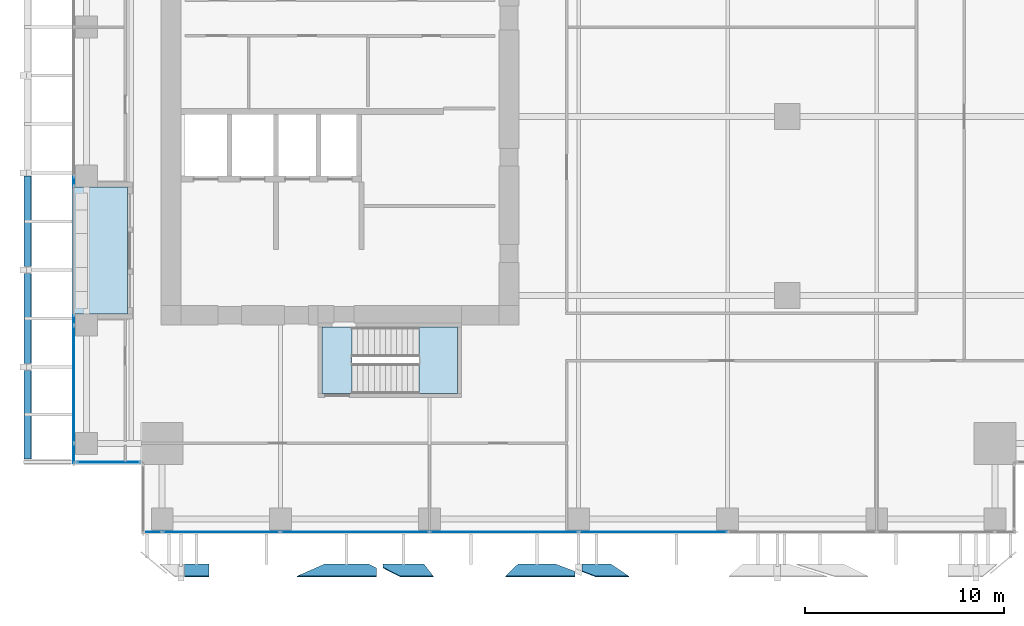
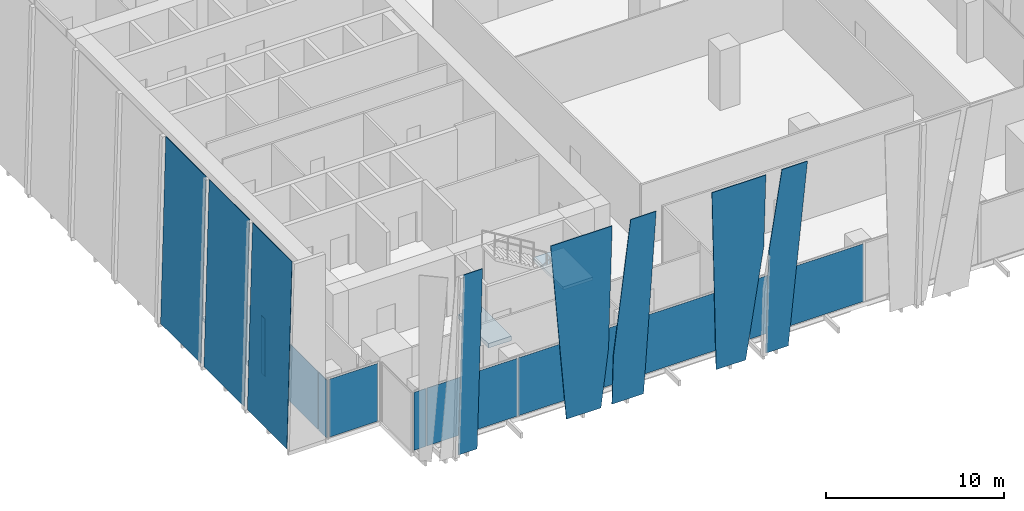
# One storey, part 21 of 34: 18 plates, 3 slabs, 5 elements without a shape of their own.
"""IFC4 building model written with IfcOpenShell, lengths in metres."""

import ifcopenshell
import ifcopenshell.guid

model = None  # the IFC model being written
_history = None  # IfcOwnerHistory: only IFC2X3 demands one
_inside = {}  # id of a spatial element -> (the spatial element, [elements in it])
_under = {}  # id of a project, library or spatial element -> (it, [spatial elements below it])
_declared = {}  # id of a project -> (the project, [libraries it declares])
_typed = {}  # id of a type object -> (the type object, [elements of that type])
_made_of = {}  # id of a material, layer set ... -> (it, [elements and type objects made of it])


def new_model(schema):
    """Start an empty IFC model of exactly this schema.

    Asked for "IFC4X3", IfcOpenShell would pick the latest addendum, in which some entities
    have other attributes; the version numbers below select the first issue.
    IFC2X3 requires an IfcOwnerHistory on every rooted entity: one is made here for all.
    """
    global model, _history
    if schema == "IFC4X3":
        model = ifcopenshell.file(schema_version=(4, 3, 0, 0))
    else:
        model = ifcopenshell.file(schema=schema)
    _inside.clear()
    _under.clear()
    _declared.clear()
    _typed.clear()
    _made_of.clear()
    _history = None
    if model.schema == "IFC2X3":
        org = make("IfcOrganization", Name="unknown")
        user = make(
            "IfcPersonAndOrganization",
            ThePerson=make("IfcPerson", FamilyName="unknown"),
            TheOrganization=org,
        )
        app = make(
            "IfcApplication",
            ApplicationDeveloper=org,
            Version="unknown",
            ApplicationFullName="unknown",
            ApplicationIdentifier="unknown",
        )
        _history = make(
            "IfcOwnerHistory",
            OwningUser=user,
            OwningApplication=app,
            ChangeAction="ADDED",
            CreationDate=0,
        )
    return model


def make(cls, **values):
    """One entity of the class cls with the attributes given. An attribute that is None is left unset."""
    return model.create_entity(
        cls, **{name: value for name, value in values.items() if value is not None}
    )


def rooted(cls, **values):
    """An entity with a GlobalId (a new one), such as an element, a storey or a relation."""
    return make(cls, GlobalId=ifcopenshell.guid.new(), OwnerHistory=_history, **values)


def si_unit(unit_type, name, prefix=None):
    """IfcSIUnit, for example si_unit("LENGTHUNIT", "METRE", prefix="MILLI")."""
    return make("IfcSIUnit", UnitType=unit_type, Prefix=prefix, Name=name)


def assignment(units):
    """IfcUnitAssignment: the units of a project."""
    return None if units is None else make("IfcUnitAssignment", Units=units)


def point(xyz):
    """IfcCartesianPoint."""
    return None if xyz is None else make("IfcCartesianPoint", Coordinates=xyz)


def direction(xyz):
    """IfcDirection."""
    return None if xyz is None else make("IfcDirection", DirectionRatios=xyz)


def frame(location, z_axis=None, x_axis=None):
    """IfcAxis2Placement3D, a coordinate frame: its origin and axes. An axis left out is left unset."""
    return make(
        "IfcAxis2Placement3D",
        Location=point(location),
        Axis=direction(z_axis),
        RefDirection=direction(x_axis),
    )


def frame_2d(location, x_axis=None):
    """IfcAxis2Placement2D, a coordinate frame in the plane: its origin and x axis."""
    return make(
        "IfcAxis2Placement2D", Location=point(location), RefDirection=direction(x_axis)
    )


def origin():
    """The frame at (0, 0, 0) with its axes left unset."""
    return frame((0.0, 0.0, 0.0))


def origin_2d():
    """The frame at (0, 0) in the plane with its x axis left unset."""
    return frame_2d((0.0, 0.0))


def place(relative_to, where):
    """IfcLocalPlacement: puts the frame where relative to a parent placement (None: the world)."""
    return make(
        "IfcLocalPlacement", PlacementRelTo=relative_to, RelativePlacement=where
    )


def context(
    kind, dimensions, precision=None, world=None, true_north=None, identifier=None
):
    """IfcGeometricRepresentationContext, for example the 3D "Model" context."""
    return make(
        "IfcGeometricRepresentationContext",
        ContextIdentifier=identifier,
        ContextType=kind,
        CoordinateSpaceDimension=dimensions,
        Precision=precision,
        WorldCoordinateSystem=world,
        TrueNorth=true_north,
    )


def subcontext(parent, identifier, kind, view, scale=None):
    """IfcGeometricRepresentationSubContext, for example "Body" below "Model"."""
    return make(
        "IfcGeometricRepresentationSubContext",
        ContextIdentifier=identifier,
        ContextType=kind,
        ParentContext=parent,
        TargetScale=scale,
        TargetView=view,
    )


def project(units=None, contexts=None):
    """IfcProject with its units and contexts."""
    return rooted(
        "IfcProject",
        Name="project",
        RepresentationContexts=contexts,
        UnitsInContext=assignment(units),
    )


def spatial(cls, under=None, at=None, **own):
    """A site, building, storey or space (cls), placed at a placement, below another one or the project."""
    s = rooted(cls, ObjectPlacement=at, **own)
    if under is not None:
        _under.setdefault(under.id(), (under, []))[1].append(s)
    return s


def polyline(points):
    """IfcPolyline through the points."""
    return make("IfcPolyline", Points=[point(p) for p in points])


def profile(cls, at=None, kind="AREA", **sizes):
    """A parametric profile (cls). Its sizes go by their IFC names, for example OverallWidth=200.0."""
    return make(cls, ProfileType=kind, Position=at, **sizes)


def rectangle(**sizes):
    """IfcRectangleProfileDef."""
    return profile("IfcRectangleProfileDef", **sizes)


def outline(outer, holes=None, kind="AREA"):
    """IfcArbitraryClosedProfileDef: a profile drawn as a closed curve; with holes, ...WithVoids."""
    if holes is None:
        return make("IfcArbitraryClosedProfileDef", ProfileType=kind, OuterCurve=outer)
    return make(
        "IfcArbitraryProfileDefWithVoids",
        ProfileType=kind,
        OuterCurve=outer,
        InnerCurves=holes,
    )


def extrude(swept, where, along, depth):
    """IfcExtrudedAreaSolid: the profile swept, set in the frame where, extruded along a direction by depth."""
    return make(
        "IfcExtrudedAreaSolid",
        SweptArea=swept,
        Position=where,
        ExtrudedDirection=direction(along),
        Depth=depth,
    )


def shape(context_of_items, identifier, shape_type, items):
    """IfcShapeRepresentation: the items that make up one representation, for example the "Body"."""
    return make(
        "IfcShapeRepresentation",
        ContextOfItems=context_of_items,
        RepresentationIdentifier=identifier,
        RepresentationType=shape_type,
        Items=items,
    )


def source(mapping_origin, context_of_items, identifier, shape_type, items):
    """IfcRepresentationMap: a shape defined once, which mapped items show again and again."""
    return make(
        "IfcRepresentationMap",
        MappingOrigin=mapping_origin,
        MappedRepresentation=shape(context_of_items, identifier, shape_type, items),
    )


def transform(
    local_origin,
    x_axis=None,
    y_axis=None,
    z_axis=None,
    scale=None,
    scale2=None,
    scale3=None,
    uniform=True,
):
    """IfcCartesianTransformationOperator3D, or its non-uniform kind. x_axis, y_axis, z_axis: its Axis1, 2, 3."""
    if uniform:
        return make(
            "IfcCartesianTransformationOperator3D",
            Axis1=direction(x_axis),
            Axis2=direction(y_axis),
            LocalOrigin=point(local_origin),
            Scale=scale,
            Axis3=direction(z_axis),
        )
    return make(
        "IfcCartesianTransformationOperator3DnonUniform",
        Axis1=direction(x_axis),
        Axis2=direction(y_axis),
        LocalOrigin=point(local_origin),
        Scale=scale,
        Axis3=direction(z_axis),
        Scale2=scale2,
        Scale3=scale3,
    )


def mapped(mapping_source, mapping_target):
    """IfcMappedItem: shows the shape of a source again, moved by a transform."""
    return make(
        "IfcMappedItem", MappingSource=mapping_source, MappingTarget=mapping_target
    )


def material(Name=None, Category=None):
    """IfcMaterial."""
    return make("IfcMaterial", Name=Name, Category=Category)


def layer(
    of_material, thickness, ventilated=None, Name=None, Category=None, Priority=None
):
    """IfcMaterialLayer: one layer of a wall or slab, of a material (None: an air gap)."""
    return make(
        "IfcMaterialLayer",
        Material=of_material,
        LayerThickness=thickness,
        IsVentilated=ventilated,
        Name=Name,
        Category=Category,
        Priority=Priority,
    )


def layer_set(layers, Name=None):
    """IfcMaterialLayerSet."""
    return make("IfcMaterialLayerSet", MaterialLayers=layers, LayerSetName=Name)


def made_of(thing, what):
    """Note that an element or type object is made of a material, layer set ...; save() writes the relation."""
    if what is not None:
        _made_of.setdefault(what.id(), (what, []))[1].append(thing)
    return thing


def type_object(cls, material=None, **own):
    """A type object (cls), such as IfcWallType, which elements share."""
    return made_of(rooted(cls, **own), material)


def element(
    cls,
    number,
    at=None,
    inside=None,
    cuts=None,
    type_object=None,
    material=None,
    context=None,
    identifier="Body",
    shape_type=None,
    held_by="IfcProductDefinitionShape",
    body=None,
    shapes=None,
    **own,
):
    """One element of the class cls, such as IfcWall. Its Tag is "e" and its number.

    at: its placement. inside: the storey or other place that contains it. cuts: it is an
    opening in that element (IfcRelVoidsElement). A single representation is given by context,
    identifier, shape_type and body (its items); several are given by shapes. held_by: the class
    of the entity that holds the representations. save() writes the other relations.
    """
    e = rooted(cls, Tag="e%d" % number, ObjectPlacement=at, **own)
    if body is not None:
        shapes = [shape(context, identifier, shape_type, body)]
    if shapes is not None:
        e.Representation = make(held_by, Representations=shapes)
    if inside is not None:
        _inside.setdefault(inside.id(), (inside, []))[1].append(e)
    if cuts is not None:
        rooted(
            "IfcRelVoidsElement", RelatingBuildingElement=cuts, RelatedOpeningElement=e
        )
    if type_object is not None:
        _typed.setdefault(type_object.id(), (type_object, []))[1].append(e)
    return made_of(e, material)


def aggregate(whole, parts):
    """IfcRelAggregates: a whole, such as a stair, and the parts it consists of."""
    return rooted("IfcRelAggregates", RelatingObject=whole, RelatedObjects=parts)


def save(model, path):
    """Write the relations noted so far, then the file.

    IfcRelAggregates (storeys below a building ...), IfcRelContainedInSpatialStructure (elements
    in a storey), IfcRelDefinesByType, IfcRelAssociatesMaterial and IfcRelDeclares: one each for
    every whole, place, type object, material and project.
    """
    for whole, parts in _under.values():
        aggregate(whole, parts)
    for where, things in _inside.values():
        rooted(
            "IfcRelContainedInSpatialStructure",
            RelatedElements=things,
            RelatingStructure=where,
        )
    for kind, things in _typed.values():
        rooted("IfcRelDefinesByType", RelatedObjects=things, RelatingType=kind)
    for what, things in _made_of.values():
        rooted("IfcRelAssociatesMaterial", RelatedObjects=things, RelatingMaterial=what)
    for by, libraries in _declared.values():
        rooted("IfcRelDeclares", RelatingContext=by, RelatedDefinitions=libraries)
    model.write(path)


model = new_model("IFC4")

# Units and contexts
model_context = context("Model", 3, precision=1e-05, world=origin(), true_north=direction((0.0, 1.0)))
body_context = subcontext(model_context, "Body", "Model", "MODEL_VIEW")
ifc_project = project(units=[si_unit("LENGTHUNIT", "METRE"), si_unit("AREAUNIT", "SQUARE_METRE"), si_unit("VOLUMEUNIT", "CUBIC_METRE"), si_unit("PLANEANGLEUNIT", "RADIAN"), si_unit("MASSUNIT", "GRAM", prefix="KILO")], contexts=[model_context])

# Site, building, storey
site_placement = place(None, origin())
site = spatial("IfcSite", under=ifc_project, at=site_placement, CompositionType="ELEMENT")
building_placement = place(site_placement, origin())
building = spatial("IfcBuilding", under=site, at=building_placement, Name="Khomas Fold Tower", CompositionType="ELEMENT")
storey_placement = place(building_placement, frame((0.0, 0.0, 114.699951171875)))
storey = spatial("IfcBuildingStorey", under=building, at=storey_placement, Name="L24", CompositionType="ELEMENT", Elevation=114.699951171875)

# Plates
ifc_material_1 = material(Name="Clear laminated glass", Category="glass")
ifc_layer_1 = layer(ifc_material_1, 0.0400390625)
ifc_layer_set_1 = layer_set([ifc_layer_1], Name="Clear laminated glass")
plate_type_1 = type_object("IfcPlateType", Name="SK-Clear laminated glass leaf", PredefinedType="SHEET", material=ifc_layer_set_1)
plate_1_placement = place(storey_placement, frame((8.39990234375, -0.026611328125, 0.0), z_axis=(0.0, 0.998875266546, 0.047415207295), x_axis=(-1.0, 0.0, 0.0)))
element("IfcPlate", 1, at=plate_1_placement, inside=storey, type_object=plate_type_1, Name="OUTER SKIN glass L24 SG099-3", PredefinedType="SHEET", context=body_context, shape_type="SweptSolid", body=[
    extrude(outline(polyline([(0.0, 0.0), (1.22998046875, 0.0), (1.22998046875, 12.764356498773965), (0.0, 12.764356498773965), (0.0, 0.0)])), origin(), (0.0, 0.0, -1.0), 0.0400390625),
])
plate_2_placement = place(storey_placement, frame((19.221923828125, -0.026611328125, 0.0), z_axis=(8.229416e-06, 0.998875292924, 0.047414650874), x_axis=(-0.999999999966, 8.220161e-06, 3.90195e-07)))
element("IfcPlate", 2, at=plate_2_placement, inside=storey, type_object=plate_type_1, Name="OUTER SKIN glass L24 SG101-5", PredefinedType="SHEET", context=body_context, shape_type="SweptSolid", body=[
    extrude(outline(polyline([(0.0, 0.0), (2.052001953055516, 0.0), (2.0520019533070313, 3.4196161015526565), (1.187988281151259, 12.764356498771983), (-0.47387695316746764, 12.764356498771983), (0.0, 0.0)])), origin(), (0.0, 0.0, -1.0), 0.0400390625),
])
plate_3_placement = place(storey_placement, frame((16.4521484375, -0.026611328125, 0.0), z_axis=(1.0404769e-05, 0.998875281099, 0.047414899572), x_axis=(-0.999999999946, 1.0393066e-05, 4.93341e-07)))
element("IfcPlate", 3, at=plate_3_placement, inside=storey, type_object=plate_type_1, Name="OUTER SKIN glass L24 SG100-6", PredefinedType="SHEET", context=body_context, shape_type="SweptSolid", body=[
    extrude(outline(polyline([(0.0, 0.0), (2.2465820311283933, 0.0), (3.624755859137879, 12.764356498773358), (-0.3779296875204572, 12.764356498773358), (-0.37792968819699796, 4.08687524570807), (0.0, 0.0)])), origin(), (0.0, 0.0, -1.0), 0.0400390625),
])
plate_4_placement = place(storey_placement, frame((28.630859375, -0.026611328125, 0.0), z_axis=(3.9982111e-05, 0.998875370209, 0.047413006554), x_axis=(-0.999999999201, 3.9937146e-05, 1.895672e-06)))
element("IfcPlate", 4, at=plate_4_placement, inside=storey, type_object=plate_type_1, Name="OUTER SKIN glass L24 SG103-8", PredefinedType="SHEET", context=body_context, shape_type="SweptSolid", body=[
    extrude(outline(polyline([(0.0, 0.0), (1.4609374988322952, 0.0), (1.4609375038227503, 7.185809827105526), (0.7575683576451031, 12.764356498742986), (-0.9033203129023744, 12.764356498742986), (0.0, 0.0)])), origin(), (0.0, 0.0, -1.0), 0.0400390625),
])
plate_5_placement = place(storey_placement, frame((25.86083984375, -0.026611328125, 0.0), z_axis=(4.724813e-06, 0.998875283546, 0.047414848928), x_axis=(-0.999999999989, 4.719499e-06, 2.24026e-07)))
element("IfcPlate", 5, at=plate_5_placement, inside=storey, type_object=plate_type_1, Name="OUTER SKIN glass L24 SG102-9", PredefinedType="SHEET", context=body_context, shape_type="SweptSolid", body=[
    extrude(outline(polyline([(0.0, 0.0), (1.9150390624786247, 0.0), (2.543457031199973, 12.764356498773141), (-0.9692382812608187, 12.764356498773141), (-0.9692382813819866, 7.686869638017105), (0.0, 0.0)])), origin(), (0.0, 0.0, -1.0), 0.0400390625),
])
plate_6_placement = place(storey_placement, frame((-0.894287109375, 5.27001953125, 0.0009765625), z_axis=(-0.999657592188, 0.0, 0.026166741891), x_axis=(0.0, 1.0, 0.0)))
element("IfcPlate", 6, at=plate_6_placement, inside=storey, type_object=plate_type_1, Name="OUTER SKIN glass L24 W1", PredefinedType="SHEET", context=body_context, shape_type="SweptSolid", body=[
    extrude(outline(polyline([(0.0, 0.0), (4.448974609375, 0.0), (4.448974609375, -12.75436719496662), (0.0, -12.75436719496662), (0.0, 0.0)])), origin(), (0.0, 0.0, -1.0), 0.0400390625),
])
for number, where, z_axis, x_axis, name in (
    (7, (-0.894287109375, 10.058837890625, 0.0009765625), (-0.999657592188, 0.0, 0.026166741891), (0.0, 1.0, 0.0), "OUTER SKIN glass L24 W3"),
    (8, (-0.894287109375, 14.94775390625, 0.0009765625), (-0.999657592188, 0.0, 0.026166741891), (0.0, 1.0, 0.0), "OUTER SKIN glass L24 W5"),
):
    element("IfcPlate", number, at=place(storey_placement, frame(where, z_axis=z_axis, x_axis=x_axis)), inside=storey, type_object=plate_type_1, Name=name, PredefinedType="SHEET", context=body_context, shape_type="SweptSolid", body=[
        extrude(outline(polyline([(0.0, 0.0), (4.548828125, 0.0), (4.548828125, -12.75436719496662), (0.0, -12.75436719496662), (0.0, 0.0)])), origin(), (0.0, 0.0, -1.0), 0.0400390625),
    ])

# Curtain wall, plates
ifc_material_2 = material(Name="Aluminium framed double glazing", Category="aluminium")
curtain_wall_type = type_object("IfcCurtainWallType", Name="SK-Unitised clear-glass wall, growing floors CW1", PredefinedType="NOTDEFINED", material=ifc_material_2)
curtain_wall_1_placement = place(storey_placement, origin())
curtain_wall_1 = element("IfcCurtainWall", 9, at=curtain_wall_1_placement, inside=storey, type_object=curtain_wall_type, Name="CW1 run L24 00-0", PredefinedType="NOTDEFINED")
ifc_material_3 = material(Name="Clear double glazed unit")
ifc_layer_2 = layer(ifc_material_3, 0.031982421875)
ifc_layer_set_2 = layer_set([ifc_layer_2], Name="Clear double glazed unit")
plate_type_2 = type_object("IfcPlateType", Name="SK-Unitised clear-glass wall, growing floors glass panel CW1-P", PredefinedType="CURTAIN_PANEL", material=ifc_layer_set_2)
shared_shape_1 = source(origin(), body_context, "Body", "SweptSolid", [
    extrude(rectangle(XDim=0.760009765625, YDim=0.031982421875, at=origin_2d()), origin(), (0.0, 0.0, 1.0), 3.97998046875),
])
plate_7_placement = place(storey_placement, frame((5.639892578125, 1.60009765625, 0.0), z_axis=(0.0, 0.0, 1.0), x_axis=(1.0, 0.0, 0.0)))
plate_7 = element("IfcPlate", 10, at=plate_7_placement, type_object=plate_type_2, Name="CW1 glass panel 1", PredefinedType="CURTAIN_PANEL", context=body_context, shape_type="MappedRepresentation", body=[
    mapped(shared_shape_1, transform((0.0, 0.0, 0.0))),
])
shared_shape_2 = source(origin(), body_context, "Body", "SweptSolid", [
    extrude(rectangle(XDim=5.889892578125, YDim=0.031982421875, at=origin_2d()), origin(), (0.0, 0.0, 1.0), 3.97998046875),
])
plate_8_placement = place(storey_placement, frame((9.02490234375, 1.60009765625, 0.0), z_axis=(0.0, 0.0, 1.0), x_axis=(1.0, 0.0, 0.0)))
plate_8 = element("IfcPlate", 11, at=plate_8_placement, type_object=plate_type_2, Name="CW1 glass panel 2", PredefinedType="CURTAIN_PANEL", context=body_context, shape_type="MappedRepresentation", body=[
    mapped(shared_shape_2, transform((0.0, 0.0, 0.0))),
])

# Curtain wall, plate
curtain_wall_2_placement = place(storey_placement, origin())
curtain_wall_2 = element("IfcCurtainWall", 12, at=curtain_wall_2_placement, inside=storey, type_object=curtain_wall_type, Name="CW1 run L24 09-1", PredefinedType="NOTDEFINED")
plate_9_placement = place(storey_placement, frame((1.60009765625, 9.02490234375, 0.0), z_axis=(0.0, 0.0, 1.0), x_axis=(0.0, -1.0, 0.0)))
plate_9 = element("IfcPlate", 13, at=plate_9_placement, type_object=plate_type_2, Name="CW1 glass panel 2", PredefinedType="CURTAIN_PANEL", context=body_context, shape_type="MappedRepresentation", body=[
    mapped(shared_shape_2, transform((0.0, 0.0, 0.0))),
])

# Plate
shared_shape_3 = source(origin(), body_context, "Body", "SweptSolid", [
    extrude(rectangle(XDim=7.43994140625, YDim=0.031982421875, at=origin_2d()), origin(), (0.0, 0.0, 1.0), 3.97998046875),
])
plate_10_placement = place(storey_placement, frame((15.75, 1.60009765625, 0.0), z_axis=(0.0, 0.0, 1.0), x_axis=(1.0, 0.0, 0.0)))
plate_10 = element("IfcPlate", 14, at=plate_10_placement, type_object=plate_type_2, Name="CW1 glass panel 3", PredefinedType="CURTAIN_PANEL", context=body_context, shape_type="MappedRepresentation", body=[
    mapped(shared_shape_3, transform((0.0, 0.0, 0.0))),
])

plate_11_placement = place(storey_placement, frame((23.25, 1.60009765625, 0.0), z_axis=(0.0, 0.0, 1.0), x_axis=(1.0, 0.0, 0.0)))
plate_11 = element("IfcPlate", 15, at=plate_11_placement, type_object=plate_type_2, Name="CW1 glass panel 4", PredefinedType="CURTAIN_PANEL", context=body_context, shape_type="MappedRepresentation", body=[
    mapped(shared_shape_3, transform((0.0, 0.0, 0.0))),
])

plate_12_placement = place(storey_placement, frame((30.75, 1.60009765625, 0.0), z_axis=(0.0, 0.0, 1.0), x_axis=(1.0, 0.0, 0.0)))
plate_12 = element("IfcPlate", 16, at=plate_12_placement, type_object=plate_type_2, Name="CW1 glass panel 5", PredefinedType="CURTAIN_PANEL", context=body_context, shape_type="MappedRepresentation", body=[
    mapped(shared_shape_3, transform((0.0, 0.0, 0.0))),
])

aggregate(curtain_wall_1, [plate_7, plate_8, plate_10, plate_11, plate_12])

shared_shape_4 = source(origin(), body_context, "Body", "SweptSolid", [
    extrude(rectangle(XDim=0.9599609375, YDim=0.031982421875, at=origin_2d()), origin(), (0.0, 0.0, 1.0), 3.97998046875),
])
plate_13_placement = place(storey_placement, frame((1.60009765625, 5.5400390625, 0.0), z_axis=(0.0, 0.0, 1.0), x_axis=(0.0, -1.0, 0.0)))
plate_13 = element("IfcPlate", 17, at=plate_13_placement, type_object=plate_type_2, Name="CW1 glass panel 3", PredefinedType="CURTAIN_PANEL", context=body_context, shape_type="MappedRepresentation", body=[
    mapped(shared_shape_4, transform((0.0, 0.0, 0.0))),
])

# Curtain wall, plate
curtain_wall_3_placement = place(storey_placement, origin())
curtain_wall_3 = element("IfcCurtainWall", 18, at=curtain_wall_3_placement, inside=storey, type_object=curtain_wall_type, Name="CW1 corner return L24 10", PredefinedType="NOTDEFINED")
shared_shape_5 = source(origin(), body_context, "Body", "SweptSolid", [
    extrude(rectangle(XDim=3.179931640625, YDim=0.031982421875, at=origin_2d()), origin(), (0.0, 0.0, 1.0), 3.97998046875),
])
plate_14_placement = place(storey_placement, frame((3.35009765625, 5.10009765625, 0.0), z_axis=(0.0, 0.0, 1.0), x_axis=(1.0, 0.0, 0.0)))
plate_14 = element("IfcPlate", 19, at=plate_14_placement, type_object=plate_type_2, Name="CW1 glass panel 1", PredefinedType="CURTAIN_PANEL", context=body_context, shape_type="MappedRepresentation", body=[
    mapped(shared_shape_5, transform((0.0, 0.0, 0.0))),
])
aggregate(curtain_wall_3, [plate_14])

curtain_wall_4_placement = place(storey_placement, origin())
curtain_wall_4 = element("IfcCurtainWall", 20, at=curtain_wall_4_placement, inside=storey, type_object=curtain_wall_type, Name="CW1 run L24 09-0", PredefinedType="NOTDEFINED")
shared_shape_6 = source(origin(), body_context, "Body", "SweptSolid", [
    extrude(rectangle(XDim=0.4599609375, YDim=0.031982421875, at=origin_2d()), origin(), (0.0, 0.0, 1.0), 3.97998046875),
])
plate_15_placement = place(storey_placement, frame((1.60009765625, 19.239990234375, 0.0), z_axis=(0.0, 0.0, 1.0), x_axis=(0.0, -1.0, 0.0)))
plate_15 = element("IfcPlate", 21, at=plate_15_placement, type_object=plate_type_2, Name="CW1 glass panel 6", PredefinedType="CURTAIN_PANEL", context=body_context, shape_type="MappedRepresentation", body=[
    mapped(shared_shape_6, transform((0.0, 0.0, 0.0))),
])
aggregate(curtain_wall_4, [plate_15])

# Plate
plate_16_placement = place(storey_placement, frame((1.60009765625, 12.260009765625, 0.0), z_axis=(0.0, 0.0, 1.0), x_axis=(0.0, -1.0, 0.0)))
plate_16 = element("IfcPlate", 22, at=plate_16_placement, type_object=plate_type_2, Name="CW1 glass panel 1", PredefinedType="CURTAIN_PANEL", context=body_context, shape_type="MappedRepresentation", body=[
    mapped(shared_shape_6, transform((0.0, 0.0, 0.0))),
])

aggregate(curtain_wall_2, [plate_16, plate_9, plate_13])

# Slab
ifc_material_4 = material(Name="Concrete C40/50", Category="concrete")
ifc_layer_3 = layer(ifc_material_4, 0.2548828125)
ifc_layer_set_3 = layer_set([ifc_layer_3], Name="Concrete C40/50")
slab_type_1 = type_object("IfcSlabType", Name="BL-Balcony deck 255", PredefinedType="FLOOR", material=ifc_layer_set_3)
shared_shape_7 = source(origin(), body_context, "Body", "SweptSolid", [
    extrude(outline(polyline([(1.5, 12.550048828125), (4.300048828125, 12.550048828125), (4.300048828125, 18.949951171875), (1.5, 18.949951171875), (1.5, 12.550048828125)])), origin(), (0.0, 0.0, 1.0), 0.255126953125),
])
slab_1_placement = place(storey_placement, frame((0.0, 0.0, -0.300048828125)))
element("IfcSlab", 23, at=slab_1_placement, inside=storey, type_object=slab_type_1, Name="Balcony deck BAL-L24-W1", PredefinedType="FLOOR", context=body_context, shape_type="MappedRepresentation", body=[
    mapped(shared_shape_7, transform((0.0, 0.0, 0.0))),
])

# Stair, slab
ifc_material_5 = material(Name="Concrete C40/50", Category="concrete")
stair_type = type_object("IfcStairType", Name="Stair ST2", PredefinedType="HALF_TURN_STAIR", material=ifc_material_5)
stair_placement = place(storey_placement, origin())
stair = element("IfcStair", 24, at=stair_placement, inside=storey, type_object=stair_type, Name="L24 ST2", PredefinedType="HALF_TURN_STAIR")
ifc_material_6 = material(Name="Concrete C40/50", Category="concrete")
ifc_layer_4 = layer(ifc_material_6, 0.199951171875)
ifc_layer_set_4 = layer_set([ifc_layer_4], Name="Concrete C40/50")
slab_type_2 = type_object("IfcSlabType", Name="Stair landing 200", PredefinedType="LANDING", material=ifc_layer_set_4)
shared_shape_8 = source(origin(), body_context, "Body", "SweptSolid", [
    extrude(outline(polyline([(18.9599609375, 8.550048828125), (20.89990234375, 8.550048828125), (20.89990234375, 11.89990234375), (18.9599609375, 11.89990234375), (18.9599609375, 8.550048828125)])), origin(), (0.0, 0.0, 1.0), 0.199951171875),
])
slab_2_placement = place(storey_placement, frame((0.0, 0.0, 2.0)))
slab_2 = element("IfcSlab", 25, at=slab_2_placement, type_object=slab_type_2, Name="ST2 landing 1", PredefinedType="LANDING", context=body_context, shape_type="MappedRepresentation", body=[
    mapped(shared_shape_8, transform((0.0, 0.0, 0.0))),
])
aggregate(stair, [slab_2])

# Slab
ifc_material_7 = material(Name="Concrete C40/50", Category="concrete")
ifc_layer_5 = layer(ifc_material_7, 0.300048828125)
ifc_layer_set_5 = layer_set([ifc_layer_5], Name="Concrete C40/50")
slab_type_3 = type_object("IfcSlabType", Name="Stair floor landing 300", PredefinedType="LANDING", material=ifc_layer_set_5)
shared_shape_9 = source(origin(), body_context, "Body", "SweptSolid", [
    extrude(outline(polyline([(15.60009765625, 8.550048828125), (14.10009765625, 8.550048828125), (14.10009765625, 11.89990234375), (15.60009765625, 11.89990234375), (15.60009765625, 8.550048828125)])), origin(), (0.0, 0.0, 1.0), 0.300048828125),
])
slab_3_placement = place(storey_placement, frame((0.0, 0.0, -0.300048828125)))
element("IfcSlab", 26, at=slab_3_placement, inside=storey, type_object=slab_type_3, Name="ST2 floor landing", PredefinedType="LANDING", context=body_context, shape_type="MappedRepresentation", body=[
    mapped(shared_shape_9, transform((0.0, 0.0, 0.0))),
])

save(model, "model.ifc")
